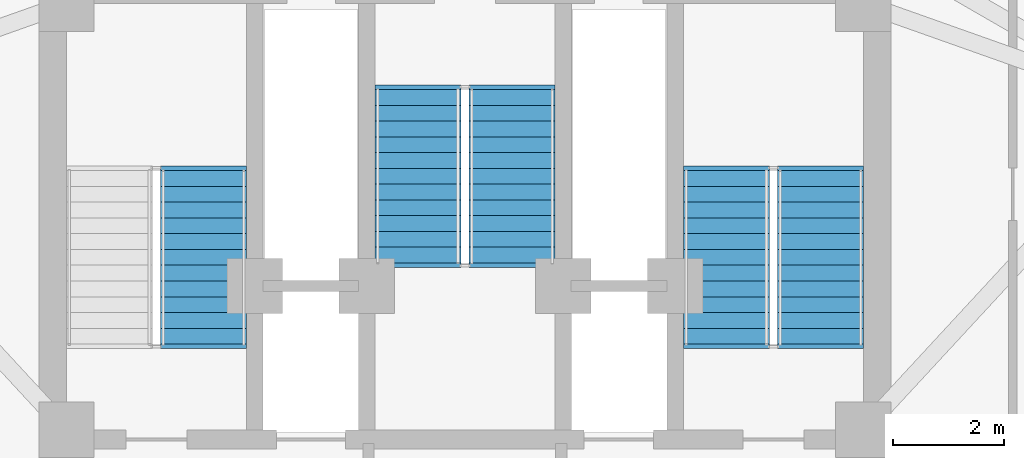
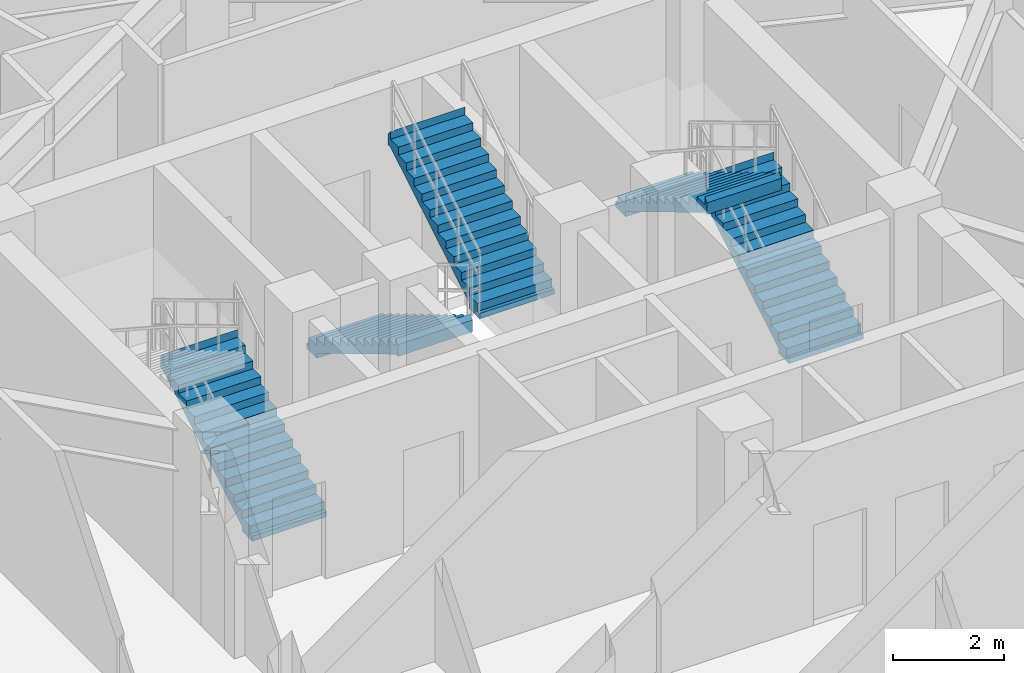
# One storey, part 8 of 11: 5 stair flights, 3 elements without a shape of their own.
"""IFC4 building model written with IfcOpenShell, lengths in metres."""

from ifc_helpers import new_model, si_unit, direction, frame, origin, place, context, subcontext, project, spatial, polyline, outline, extrude, material, type_object, element, aggregate, save


model = new_model("IFC4")

# Units and contexts
model_context = context("Model", 3, precision=1e-05, world=origin(), true_north=direction((0.0, 1.0)))
body_context = subcontext(model_context, "Body", "Model", "MODEL_VIEW")
ifc_project = project(units=[si_unit("LENGTHUNIT", "METRE"), si_unit("AREAUNIT", "SQUARE_METRE"), si_unit("VOLUMEUNIT", "CUBIC_METRE"), si_unit("PLANEANGLEUNIT", "RADIAN"), si_unit("MASSUNIT", "GRAM", prefix="KILO")], contexts=[model_context])

# Site, building, storey
site_placement = place(None, origin())
site = spatial("IfcSite", under=ifc_project, at=site_placement, CompositionType="ELEMENT")
building_placement = place(site_placement, origin())
building = spatial("IfcBuilding", under=site, at=building_placement, Name="Apsidion Concourse Tower", CompositionType="ELEMENT")
storey_placement = place(building_placement, frame((0.0, 0.0, 314.699951171875)))
storey = spatial("IfcBuildingStorey", under=building, at=storey_placement, Name="L74", CompositionType="ELEMENT", Elevation=314.699951171875)

# Stair, stair flight
ifc_material = material(Name="Precast concrete C40/50", Category="concrete")
stair_type = type_object("IfcStairType", Name="ST-DL-1550", PredefinedType="HALF_TURN_STAIR", material=ifc_material)
stair_1_placement = place(storey_placement, origin())
stair_1 = element("IfcStair", 1, at=stair_1_placement, inside=storey, type_object=stair_type, Name="L74 Protected Core Exit Stair ST1", PredefinedType="HALF_TURN_STAIR")
stair_flight_type = type_object("IfcStairFlightType", Name="SFL-RC-1550", PredefinedType="STRAIGHT", material=ifc_material)
stair_flight_1_placement = place(storey_placement, frame((-4.72509765625, 3.0, 0.0), z_axis=(0.0, 0.0, 1.0), x_axis=(0.0, 1.0, 0.0)))
stair_flight_1 = element("IfcStairFlight", 2, at=stair_flight_1_placement, type_object=stair_flight_type, Name="ST1 flight 1", NumberOfRisers=12, NumberOfTreads=11, PredefinedType="STRAIGHT", RiserHeight=0.170833333, TreadLength=0.285, context=body_context, shape_type="SweptSolid", body=[
    extrude(outline(polyline([(-0.080078125, -0.1123046875), (-0.080078125, 0.0), (0.0, 0.0), (0.0, 0.1708984375), (0.284912109375, 0.1708984375), (0.284912109375, 0.341552734375), (0.570068359375, 0.341552734375), (0.570068359375, 0.512451171875), (0.85498046875, 0.512451171875), (0.85498046875, 0.683349609375), (1.139892578125, 0.683349609375), (1.139892578125, 0.854248046875), (1.425048828125, 0.854248046875), (1.425048828125, 1.02490234375), (1.7099609375, 1.02490234375), (1.7099609375, 1.19580078125), (1.9951171875, 1.19580078125), (1.9951171875, 1.36669921875), (2.280029296875, 1.36669921875), (2.280029296875, 1.53759765625), (2.56494140625, 1.53759765625), (2.56494140625, 1.708251953125), (2.85009765625, 1.708251953125), (2.85009765625, 1.879150390625), (3.135009765625, 1.879150390625), (3.135009765625, 2.050048828125), (3.215087890625, 1.964599609375), (3.215087890625, 1.704345703125), (3.135009765625, 1.704345703125), (0.29150390625, 0.0), (0.29150390625, -0.1123046875), (-0.080078125, -0.1123046875)])), frame((0.0, 0.77490234375, 0.0), z_axis=(0.0, -1.0, 0.0), x_axis=(1.0, 0.0, 0.0)), (0.0, 0.0, 1.0), 1.550048828125),
])
aggregate(stair_1, [stair_flight_1])

# Stair, stair flights
stair_2_placement = place(storey_placement, origin())
stair_2 = element("IfcStair", 3, at=stair_2_placement, inside=storey, type_object=stair_type, Name="L74 Protected Core Exit Stair ST2", PredefinedType="HALF_TURN_STAIR")
stair_flight_2_placement = place(storey_placement, frame((6.425048828125, 3.0, 0.0), z_axis=(0.0, 0.0, 1.0), x_axis=(0.0, 1.0, 0.0)))
stair_flight_2 = element("IfcStairFlight", 4, at=stair_flight_2_placement, type_object=stair_flight_type, Name="ST2 flight 1", NumberOfRisers=12, NumberOfTreads=11, PredefinedType="STRAIGHT", RiserHeight=0.170833333, TreadLength=0.285, context=body_context, shape_type="SweptSolid", body=[
    extrude(outline(polyline([(-0.080078125, -0.1123046875), (-0.080078125, 0.0), (0.0, 0.0), (0.0, 0.1708984375), (0.284912109375, 0.1708984375), (0.284912109375, 0.341552734375), (0.570068359375, 0.341552734375), (0.570068359375, 0.512451171875), (0.85498046875, 0.512451171875), (0.85498046875, 0.683349609375), (1.139892578125, 0.683349609375), (1.139892578125, 0.854248046875), (1.425048828125, 0.854248046875), (1.425048828125, 1.02490234375), (1.7099609375, 1.02490234375), (1.7099609375, 1.19580078125), (1.9951171875, 1.19580078125), (1.9951171875, 1.36669921875), (2.280029296875, 1.36669921875), (2.280029296875, 1.53759765625), (2.56494140625, 1.53759765625), (2.56494140625, 1.708251953125), (2.85009765625, 1.708251953125), (2.85009765625, 1.879150390625), (3.135009765625, 1.879150390625), (3.135009765625, 2.050048828125), (3.215087890625, 1.964599609375), (3.215087890625, 1.704345703125), (3.135009765625, 1.704345703125), (0.29150390625, 0.0), (0.29150390625, -0.1123046875), (-0.080078125, -0.1123046875)])), frame((0.0, 0.77490234375, 0.0), z_axis=(0.0, -1.0, 0.0), x_axis=(1.0, 0.0, 0.0)), (0.0, 0.0, 1.0), 1.550048828125),
])
stair_flight_3_placement = place(storey_placement, frame((4.72509765625, 6.135009765625, 2.050048828125), z_axis=(0.0, 0.0, 1.0), x_axis=(0.0, -1.0, 0.0)))
stair_flight_3 = element("IfcStairFlight", 5, at=stair_flight_3_placement, type_object=stair_flight_type, Name="ST2 flight 2", NumberOfRisers=12, NumberOfTreads=11, PredefinedType="STRAIGHT", RiserHeight=0.170833333, TreadLength=0.285, context=body_context, shape_type="SweptSolid", body=[
    extrude(outline(polyline([(-0.080078125, -0.1123046875), (-0.080078125, 0.0), (0.0, 0.0), (0.0, 0.1708984375), (0.284912109375, 0.1708984375), (0.284912109375, 0.341552734375), (0.570068359375, 0.341552734375), (0.570068359375, 0.512451171875), (0.85498046875, 0.512451171875), (0.85498046875, 0.683349609375), (1.139892578125, 0.683349609375), (1.139892578125, 0.854248046875), (1.425048828125, 0.854248046875), (1.425048828125, 1.02490234375), (1.7099609375, 1.02490234375), (1.7099609375, 1.19580078125), (1.9951171875, 1.19580078125), (1.9951171875, 1.36669921875), (2.280029296875, 1.36669921875), (2.280029296875, 1.53759765625), (2.56494140625, 1.53759765625), (2.56494140625, 1.708251953125), (2.85009765625, 1.708251953125), (2.85009765625, 1.879150390625), (3.135009765625, 1.879150390625), (3.135009765625, 2.050048828125), (3.215087890625, 1.964599609375), (3.215087890625, 1.704345703125), (3.135009765625, 1.704345703125), (0.29150390625, 0.0), (0.29150390625, -0.1123046875), (-0.080078125, -0.1123046875)])), frame((0.0, 0.77490234375, 0.0), z_axis=(0.0, -1.0, 0.0), x_axis=(1.0, 0.0, 0.0)), (0.0, 0.0, 1.0), 1.550048828125),
])
aggregate(stair_2, [stair_flight_2, stair_flight_3])

stair_3_placement = place(storey_placement, origin())
stair_3 = element("IfcStair", 6, at=stair_3_placement, inside=storey, type_object=stair_type, Name="L74 Protected Core Exit Stair ST3", PredefinedType="HALF_TURN_STAIR")
stair_flight_4_placement = place(storey_placement, frame((-0.85009765625, 7.60009765625, 0.0), z_axis=(0.0, 0.0, 1.0), x_axis=(0.0, -1.0, 0.0)))
stair_flight_4 = element("IfcStairFlight", 7, at=stair_flight_4_placement, type_object=stair_flight_type, Name="ST3 flight 1", NumberOfRisers=12, NumberOfTreads=11, PredefinedType="STRAIGHT", RiserHeight=0.170833333, TreadLength=0.285, context=body_context, shape_type="SweptSolid", body=[
    extrude(outline(polyline([(-0.080078125, -0.1123046875), (-0.080078125, 0.0), (0.0, 0.0), (0.0, 0.1708984375), (0.284912109375, 0.1708984375), (0.284912109375, 0.341552734375), (0.570068359375, 0.341552734375), (0.570068359375, 0.512451171875), (0.85498046875, 0.512451171875), (0.85498046875, 0.683349609375), (1.139892578125, 0.683349609375), (1.139892578125, 0.854248046875), (1.425048828125, 0.854248046875), (1.425048828125, 1.02490234375), (1.7099609375, 1.02490234375), (1.7099609375, 1.19580078125), (1.9951171875, 1.19580078125), (1.9951171875, 1.36669921875), (2.280029296875, 1.36669921875), (2.280029296875, 1.53759765625), (2.56494140625, 1.53759765625), (2.56494140625, 1.708251953125), (2.85009765625, 1.708251953125), (2.85009765625, 1.879150390625), (3.135009765625, 1.879150390625), (3.135009765625, 2.050048828125), (3.215087890625, 1.964599609375), (3.215087890625, 1.704345703125), (3.135009765625, 1.704345703125), (0.29150390625, 0.0), (0.29150390625, -0.1123046875), (-0.080078125, -0.1123046875)])), frame((0.0, 0.77490234375, 0.0), z_axis=(0.0, -1.0, 0.0), x_axis=(1.0, 0.0, 0.0)), (0.0, 0.0, 1.0), 1.550048828125),
])
stair_flight_5_placement = place(storey_placement, frame((0.85009765625, 4.465087890625, 2.050048828125), z_axis=(0.0, 0.0, 1.0), x_axis=(0.0, 1.0, 0.0)))
stair_flight_5 = element("IfcStairFlight", 8, at=stair_flight_5_placement, type_object=stair_flight_type, Name="ST3 flight 2", NumberOfRisers=12, NumberOfTreads=11, PredefinedType="STRAIGHT", RiserHeight=0.170833333, TreadLength=0.285, context=body_context, shape_type="SweptSolid", body=[
    extrude(outline(polyline([(-0.080078125, -0.1123046875), (-0.080078125, 0.0), (0.0, 0.0), (0.0, 0.1708984375), (0.284912109375, 0.1708984375), (0.284912109375, 0.341552734375), (0.570068359375, 0.341552734375), (0.570068359375, 0.512451171875), (0.85498046875, 0.512451171875), (0.85498046875, 0.683349609375), (1.139892578125, 0.683349609375), (1.139892578125, 0.854248046875), (1.425048828125, 0.854248046875), (1.425048828125, 1.02490234375), (1.7099609375, 1.02490234375), (1.7099609375, 1.19580078125), (1.9951171875, 1.19580078125), (1.9951171875, 1.36669921875), (2.280029296875, 1.36669921875), (2.280029296875, 1.53759765625), (2.56494140625, 1.53759765625), (2.56494140625, 1.708251953125), (2.85009765625, 1.708251953125), (2.85009765625, 1.879150390625), (3.135009765625, 1.879150390625), (3.135009765625, 2.050048828125), (3.215087890625, 1.964599609375), (3.215087890625, 1.704345703125), (3.135009765625, 1.704345703125), (0.29150390625, 0.0), (0.29150390625, -0.1123046875), (-0.080078125, -0.1123046875)])), frame((0.0, 0.77490234375, 0.0), z_axis=(0.0, -1.0, 0.0), x_axis=(1.0, 0.0, 0.0)), (0.0, 0.0, 1.0), 1.550048828125),
])
aggregate(stair_3, [stair_flight_4, stair_flight_5])

save(model, "model.ifc")
